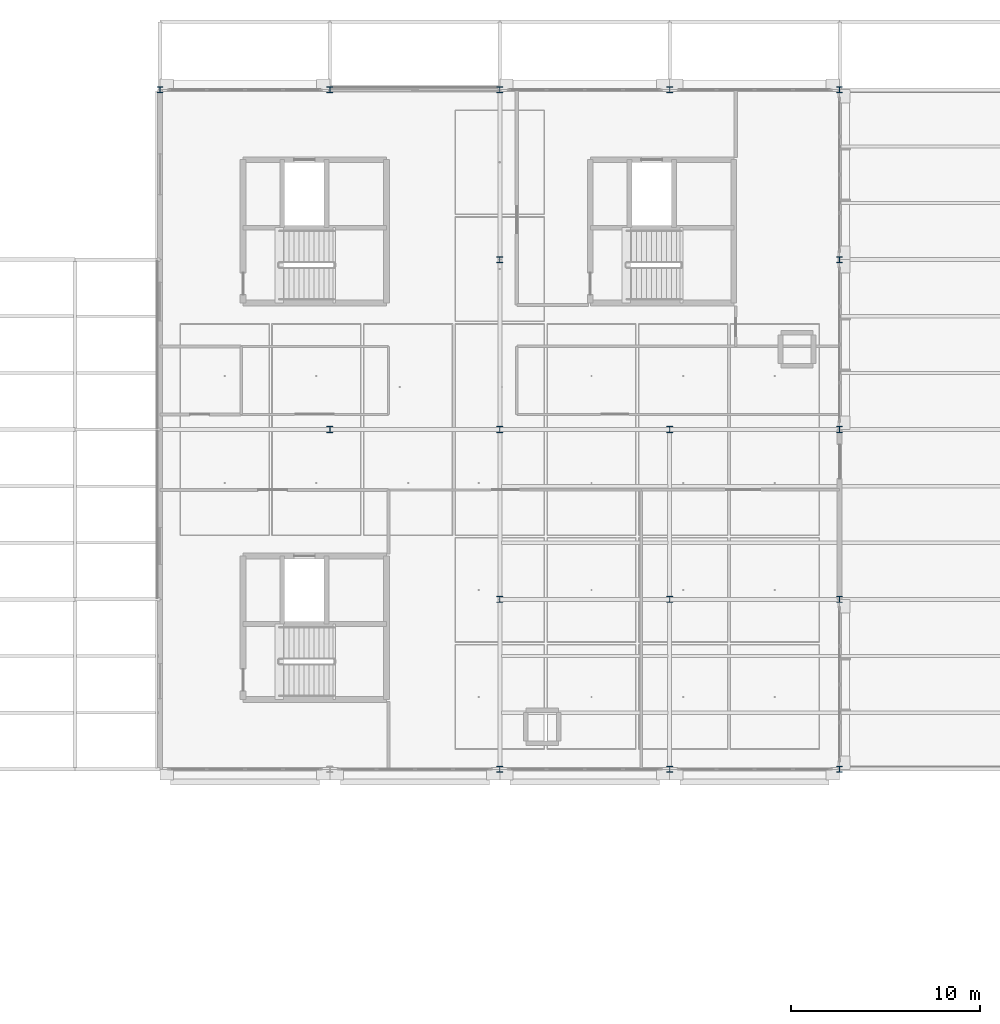
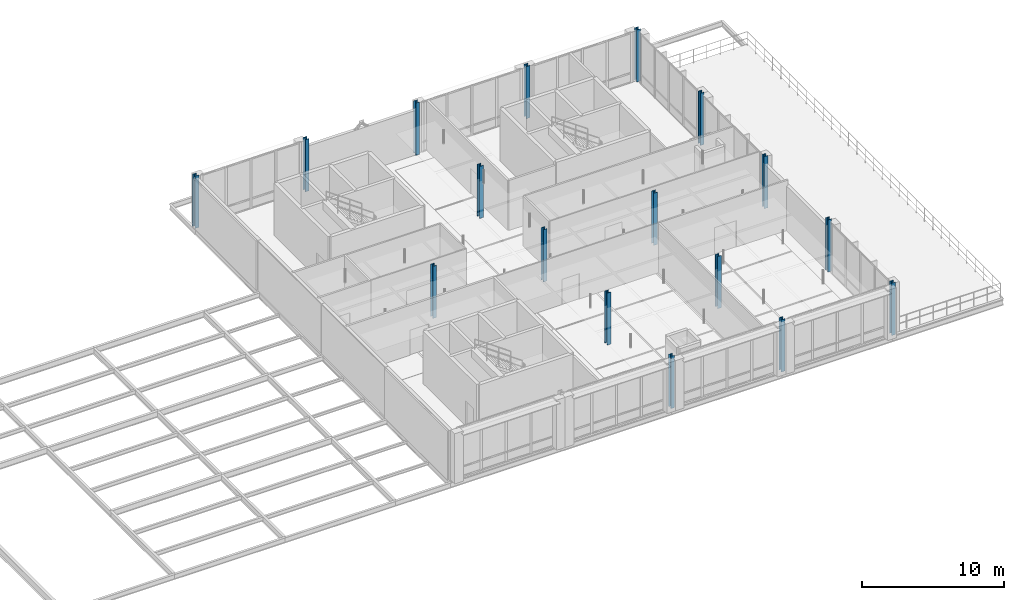
# One storey, part 10 of 66: 17 columns.
"""IFC4 building model written with IfcOpenShell, lengths in metres."""

from ifc_helpers import new_model, si_unit, direction, frame, origin, origin_2d, place, context, subcontext, project, spatial, i_section, extrude, material, material_profile, profile_set, type_object, element, save


model = new_model("IFC4")

# Units and contexts
model_context = context("Model", 3, precision=1e-05, world=origin(), true_north=direction((0.0, 1.0)))
body_context = subcontext(model_context, "Body", "Model", "MODEL_VIEW")
ifc_project = project(units=[si_unit("LENGTHUNIT", "METRE"), si_unit("AREAUNIT", "SQUARE_METRE"), si_unit("VOLUMEUNIT", "CUBIC_METRE"), si_unit("PLANEANGLEUNIT", "RADIAN"), si_unit("MASSUNIT", "GRAM", prefix="KILO"), si_unit("THERMODYNAMICTEMPERATUREUNIT", "KELVIN"), si_unit("POWERUNIT", "WATT")], contexts=[model_context])

# Site, building, storey
site_placement = place(None, origin())
site = spatial("IfcSite", under=ifc_project, at=site_placement, CompositionType="ELEMENT")
building_placement = place(site_placement, origin())
building = spatial("IfcBuilding", under=site, at=building_placement, Name="Tallowbark Science Centre", CompositionType="ELEMENT")
storey_placement = place(building_placement, frame((0.0, 0.0, 18.89990234375)))
storey = spatial("IfcBuildingStorey", under=building, at=storey_placement, Name="L04", CompositionType="ELEMENT", Elevation=18.89990234375)

# Columns
ifc_material = material(Name="Structural Steel Grade 300PLUS (300 MPa)", Category="steel")
ifc_material_profile = material_profile(ifc_material, i_section(OverallWidth=0.311279296875, OverallDepth=0.3271484375, WebThickness=0.015625, FlangeThickness=0.02490234375, FilletRadius=0.0166015625, at=origin_2d()), Name="310UC158")
ifc_profile_set = profile_set([ifc_material_profile], Name="Structural Steel Grade 300PLUS (300 MPa)")
column_type = type_object("IfcColumnType", Name="COL-UC310A", PredefinedType="COLUMN", material=ifc_profile_set)
for number, where, z_axis, x_axis, name in (
    (1, (112.5, 108.0, 0.0), (0.0, 0.0, 1.0), (1.0, 0.0, 0.0), "Column OBS-0_4 L04"),
    (2, (121.5, 90.0, 0.0), (0.0, 0.0, 1.0), (1.0, 0.0, 0.0), "Column OBS-1_2 L04"),
    (3, (121.5, 108.0, 0.0), (0.0, 0.0, 1.0), (1.0, 0.0, 0.0), "Column OBS-1_4 L04"),
    (4, (130.5, 72.0, 0.0), (0.0, 0.0, 1.0), (1.0, 0.0, 0.0), "Column OBS-2_0 L04"),
    (5, (130.5, 81.0, 0.0), (0.0, 0.0, 1.0), (1.0, 0.0, 0.0), "Column OBS-2_1 L04"),
    (6, (130.5, 90.0, 0.0), (0.0, 0.0, 1.0), (1.0, 0.0, 0.0), "Column OBS-2_2 L04"),
    (7, (130.5, 99.0, 0.0), (0.0, 0.0, 1.0), (1.0, 0.0, 0.0), "Column OBS-2_3 L04"),
    (8, (130.5, 108.0, 0.0), (0.0, 0.0, 1.0), (1.0, 0.0, 0.0), "Column OBS-2_4 L04"),
    (9, (139.5, 72.0, 0.0), (0.0, 0.0, 1.0), (1.0, 0.0, 0.0), "Column OBS-3_0 L04"),
    (10, (139.5, 81.0, 0.0), (0.0, 0.0, 1.0), (1.0, 0.0, 0.0), "Column OBS-3_1 L04"),
    (11, (139.5, 90.0, 0.0), (0.0, 0.0, 1.0), (1.0, 0.0, 0.0), "Column OBS-3_2 L04"),
    (12, (139.5, 108.0, 0.0), (0.0, 0.0, 1.0), (1.0, 0.0, 0.0), "Column OBS-3_4 L04"),
    (13, (148.5, 72.0, 0.0), (0.0, 0.0, 1.0), (1.0, 0.0, 0.0), "Column OBS-4_0 L04"),
    (14, (148.5, 81.0, 0.0), (0.0, 0.0, 1.0), (1.0, 0.0, 0.0), "Column OBS-4_1 L04"),
    (15, (148.5, 90.0, 0.0), (0.0, 0.0, 1.0), (1.0, 0.0, 0.0), "Column OBS-4_2 L04"),
    (16, (148.5, 99.0, 0.0), (0.0, 0.0, 1.0), (1.0, 0.0, 0.0), "Column OBS-4_3 L04"),
    (17, (148.5, 108.0, 0.0), (0.0, 0.0, 1.0), (1.0, 0.0, 0.0), "Column OBS-4_4 L04"),
):
    element("IfcColumn", number, at=place(storey_placement, frame(where, z_axis=z_axis, x_axis=x_axis)), inside=storey, type_object=column_type, Name=name, PredefinedType="COLUMN", context=body_context, shape_type="SweptSolid", body=[
        extrude(i_section(OverallWidth=0.311279296875, OverallDepth=0.3271484375, WebThickness=0.015625, FlangeThickness=0.02490234375, FilletRadius=0.0166015625, at=origin_2d()), origin(), (0.0, 0.0, 1.0), 4.5),
    ])

save(model, "model.ifc")
